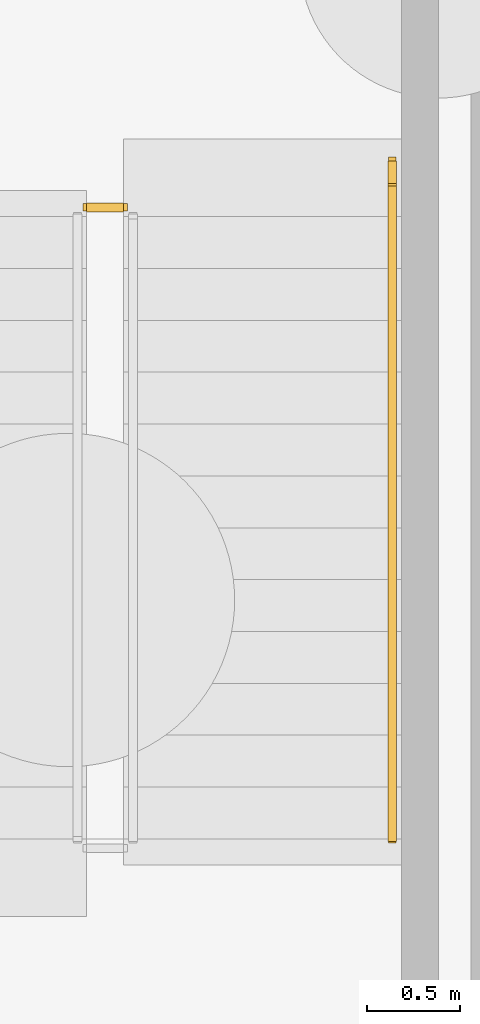
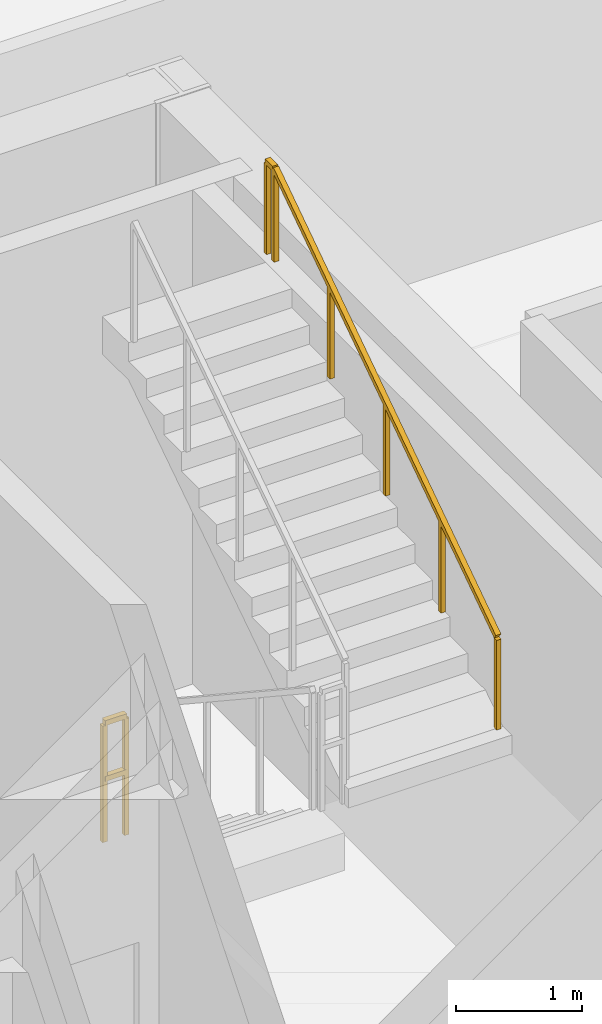
# One storey, part 7 of 8: 2 railings.
"""IFC4 building model written with IfcOpenShell, lengths in metres."""

from ifc_helpers import new_model, si_unit, direction, frame, origin, origin_2d, place, context, subcontext, project, spatial, rectangle, extrude, material, type_object, element, save


model = new_model("IFC4")

# Units and contexts
model_context = context("Model", 3, precision=1e-05, world=origin(), true_north=direction((0.0, 1.0)))
body_context = subcontext(model_context, "Body", "Model", "MODEL_VIEW")
ifc_project = project(units=[si_unit("LENGTHUNIT", "METRE"), si_unit("AREAUNIT", "SQUARE_METRE"), si_unit("VOLUMEUNIT", "CUBIC_METRE"), si_unit("PLANEANGLEUNIT", "RADIAN"), si_unit("MASSUNIT", "GRAM", prefix="KILO")], contexts=[model_context])

# Site, building, storey
site_placement = place(None, origin())
site = spatial("IfcSite", under=ifc_project, at=site_placement, CompositionType="ELEMENT")
building_placement = place(site_placement, origin())
building = spatial("IfcBuilding", under=site, at=building_placement, Name="Talgorran Terracotta Tower", CompositionType="ELEMENT")
storey_placement = place(building_placement, frame((0.0, 0.0, -4.800048828125)))
storey = spatial("IfcBuildingStorey", under=building, at=storey_placement, Name="B1", CompositionType="ELEMENT", Elevation=-4.800048828125)

# Railings
ifc_material = material(Name="Steel S355 (300PLUS)", Category="steel")
railing_type_1 = type_object("IfcRailingType", Name="RL_HANDRAIL_920", PredefinedType="HANDRAIL", material=ifc_material)
railing_1_placement = place(storey_placement, frame((11.75, -10.56005859375, 2.584716796875)))
element("IfcRailing", 1, at=railing_1_placement, inside=storey, type_object=railing_type_1, Name="B1 ST-02 stair handrail 2", PredefinedType="HANDRAIL", context=body_context, shape_type="SweptSolid", body=[
    extrude(rectangle(XDim=0.048095703125, YDim=0.048095703125, at=origin_2d()), frame((0.0, 0.0, 0.89599609375), z_axis=(0.0, 0.827721979786, 0.561138418021), x_axis=(-1.0, 0.0, 0.0)), (0.0, 0.0, 1.0), 4.27685546875),
    extrude(rectangle(XDim=0.048095703125, YDim=0.048095703125, at=origin_2d()), frame((0.0, 3.5400390625, 3.2958984375), z_axis=(0.0, 1.0, 0.0), x_axis=(-1.0, 0.0, 0.0)), (0.0, 0.0, 1.0), 0.1201171875),
    extrude(rectangle(XDim=0.0419921875, YDim=0.0419921875, at=origin_2d()), origin(), (0.0, 0.0, 1.0), 0.871826171875),
    extrude(rectangle(XDim=0.0419921875, YDim=0.0419921875, at=origin_2d()), frame((0.0, 0.885009765625, 0.60009765625)), (0.0, 0.0, 1.0), 0.871826171875),
    extrude(rectangle(XDim=0.0419921875, YDim=0.0419921875, at=origin_2d()), frame((0.0, 1.77001953125, 1.199951171875)), (0.0, 0.0, 1.0), 0.871826171875),
    extrude(rectangle(XDim=0.0419921875, YDim=0.0419921875, at=origin_2d()), frame((0.0, 2.655029296875, 1.7998046875)), (0.0, 0.0, 1.0), 0.871826171875),
    extrude(rectangle(XDim=0.0419921875, YDim=0.0419921875, at=origin_2d()), frame((0.0, 3.5400390625, 2.39990234375)), (0.0, 0.0, 1.0), 0.871826171875),
    extrude(rectangle(XDim=0.0419921875, YDim=0.0419921875, at=origin_2d()), frame((0.0, 3.66015625, 2.39990234375)), (0.0, 0.0, 1.0), 0.871826171875),
])
railing_type_2 = type_object("IfcRailingType", Name="RL_STAIR_GUARD", PredefinedType="GUARDRAIL", material=ifc_material)
railing_2_placement = place(storey_placement, frame((10.10009765625, -7.14990234375, 0.0)))
element("IfcRailing", 2, at=railing_2_placement, inside=storey, type_object=railing_type_2, Name="B1 ST-02 stair guard 4", PredefinedType="GUARDRAIL", context=body_context, shape_type="SweptSolid", body=[
    extrude(rectangle(XDim=0.048095703125, YDim=0.048095703125, at=origin_2d()), frame((0.0, 0.0, 1.15576171875), z_axis=(1.0, 0.0, 0.0), x_axis=(0.0, 1.0, 0.0)), (0.0, 0.0, 1.0), 0.199951171875),
    extrude(rectangle(XDim=0.048095703125, YDim=0.048095703125, at=origin_2d()), frame((0.0, 0.0, 0.613525390625), z_axis=(1.0, 0.0, 0.0), x_axis=(0.0, 1.0, 0.0)), (0.0, 0.0, 1.0), 0.199951171875),
    extrude(rectangle(XDim=0.0419921875, YDim=0.0419921875, at=origin_2d()), origin(), (0.0, 0.0, 1.0), 1.1318359375),
    extrude(rectangle(XDim=0.0419921875, YDim=0.0419921875, at=origin_2d()), frame((0.199951171875, 0.0, 0.0)), (0.0, 0.0, 1.0), 1.1318359375),
])

save(model, "model.ifc")
